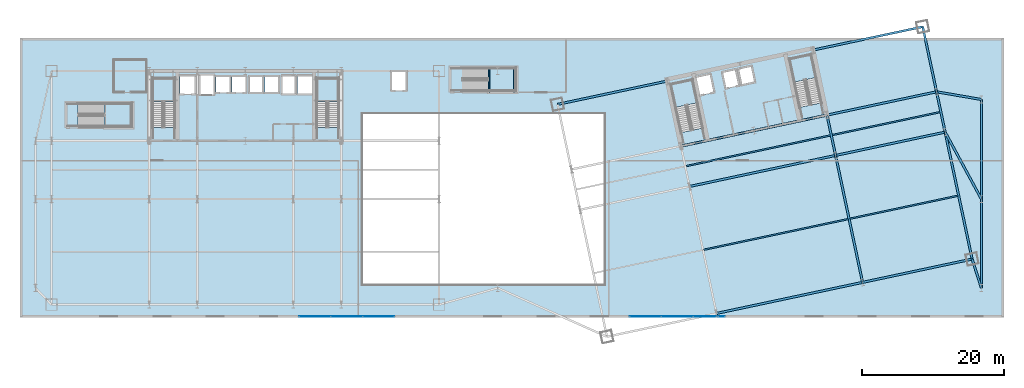
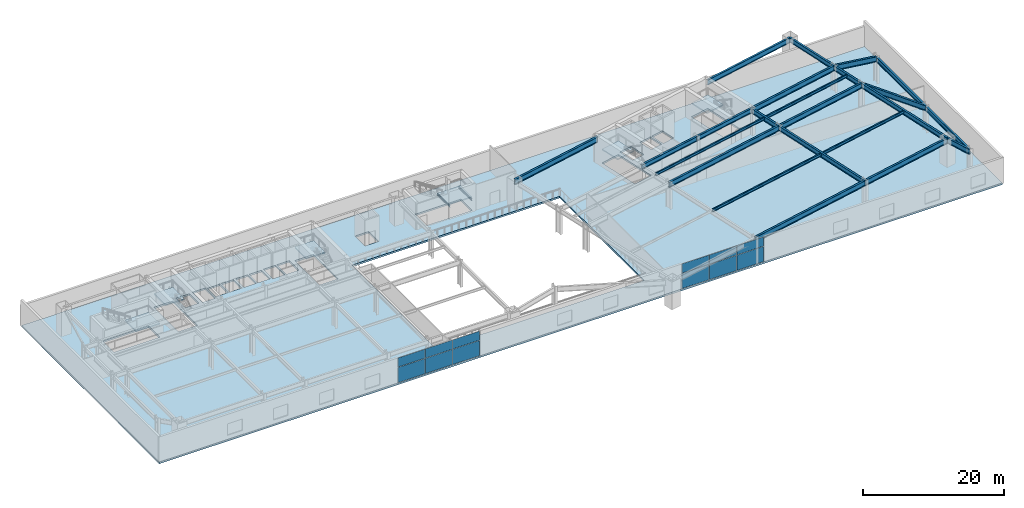
# One storey, part 11 of 25: 25 beams, 12 plates, 7 slabs, 8 elements without a shape of their own.
"""IFC4 building model written with IfcOpenShell, lengths in metres."""

from ifc_helpers import new_model, si_unit, direction, frame, origin, origin_2d, place, context, subcontext, project, spatial, polyline, rectangle, i_section, outline, extrude, material, layer, layer_set, material_profile, profile_set, type_object, element, aggregate, save


model = new_model("IFC4")

# Units and contexts
model_context = context("Model", 3, precision=1e-05, world=origin(), true_north=direction((0.0, 1.0)))
body_context = subcontext(model_context, "Body", "Model", "MODEL_VIEW")
ifc_project = project(units=[si_unit("LENGTHUNIT", "METRE"), si_unit("AREAUNIT", "SQUARE_METRE"), si_unit("VOLUMEUNIT", "CUBIC_METRE"), si_unit("PLANEANGLEUNIT", "RADIAN"), si_unit("MASSUNIT", "GRAM", prefix="KILO")], contexts=[model_context])

# Site, building, storey
site_placement = place(None, origin())
site = spatial("IfcSite", under=ifc_project, at=site_placement, CompositionType="ELEMENT")
building_placement = place(site_placement, origin())
building = spatial("IfcBuilding", under=site, at=building_placement, Name="Haevon Station Towers", CompositionType="ELEMENT")
storey_placement = place(building_placement, frame((0.0, 0.0, 6.0)))
storey = spatial("IfcBuildingStorey", under=building, at=storey_placement, Name="L01", CompositionType="ELEMENT", Elevation=6.0)

# Beams
ifc_material_1 = material(Name="Steel S355", Category="steel")
ifc_material_profile_1 = material_profile(ifc_material_1, i_section(OverallWidth=0.199951171875, OverallDepth=0.449951171875, WebThickness=0.009033203125, FlangeThickness=0.013916015625, at=origin_2d()), Name="H-450x200x9x14")
ifc_profile_set_1 = profile_set([ifc_material_profile_1], Name="Steel S355")
beam_type_1 = type_object("IfcBeamType", Name="BM-J450", PredefinedType="JOIST", material=ifc_profile_set_1)
beam_1_placement = place(storey_placement, frame((101.963134765625, 22.866455078125, 4.27490234375), z_axis=(0.97814804034, 0.207909622623, 0.0), x_axis=(-0.207909622623, 0.97814804034, 0.0)))
element("IfcBeam", 1, at=beam_1_placement, inside=storey, type_object=beam_type_1, Name="BM-T2J-L01-01-02", PredefinedType="JOIST", context=body_context, shape_type="SweptSolid", body=[
    extrude(i_section(OverallWidth=0.199951171875, OverallDepth=0.449951171875, WebThickness=0.009033203125, FlangeThickness=0.013916015625, at=origin_2d()), origin(), (0.0, 0.0, 1.0), 20.77978515625),
])
beam_2_placement = place(storey_placement, frame((122.504150390625, 27.232666015625, 4.27490234375), z_axis=(0.978149141128, 0.207904443699, 0.0), x_axis=(-0.207904443699, 0.978149141128, 0.0)))
element("IfcBeam", 2, at=beam_2_placement, inside=storey, type_object=beam_type_1, Name="BM-T2J-L01-01-03", PredefinedType="JOIST", context=body_context, shape_type="SweptSolid", body=[
    extrude(i_section(OverallWidth=0.199951171875, OverallDepth=0.449951171875, WebThickness=0.009033203125, FlangeThickness=0.013916015625, at=origin_2d()), origin(), (0.0, 0.0, 1.0), 15.530029296875),
])
beam_3_placement = place(storey_placement, frame((99.462890625, 34.628662109375, 4.27490234375), z_axis=(0.978148548197, 0.207907233306, 0.0), x_axis=(-0.207907233306, 0.978148548197, 0.0)))
element("IfcBeam", 3, at=beam_3_placement, inside=storey, type_object=beam_type_1, Name="BM-T2J-L01-02-02", PredefinedType="JOIST", context=body_context, shape_type="SweptSolid", body=[
    extrude(i_section(OverallWidth=0.199951171875, OverallDepth=0.449951171875, WebThickness=0.009033203125, FlangeThickness=0.013916015625, at=origin_2d()), origin(), (0.0, 0.0, 1.0), 20.780029296875),
])
beam_4_placement = place(storey_placement, frame((120.00390625, 38.994873046875, 4.27490234375), z_axis=(0.978149141128, 0.207904443699, 0.0), x_axis=(-0.207904443699, 0.978149141128, 0.0)))
element("IfcBeam", 4, at=beam_4_placement, inside=storey, type_object=beam_type_1, Name="BM-T2J-L01-02-03", PredefinedType="JOIST", context=body_context, shape_type="SweptSolid", body=[
    extrude(i_section(OverallWidth=0.199951171875, OverallDepth=0.449951171875, WebThickness=0.009033203125, FlangeThickness=0.013916015625, at=origin_2d()), origin(), (0.0, 0.0, 1.0), 15.530029296875),
])
ifc_material_profile_2 = material_profile(ifc_material_1, i_section(OverallWidth=0.14990234375, OverallDepth=0.300048828125, WebThickness=0.006591796875, FlangeThickness=0.009033203125, at=origin_2d()), Name="H-300x150x6.5x9")
ifc_profile_set_2 = profile_set([ifc_material_profile_2], Name="Steel S355")
beam_type_2 = type_object("IfcBeamType", Name="BM-LIN300", PredefinedType="LINTEL", material=ifc_profile_set_2)
for number, where, z_axis, x_axis, name in (
    (5, (71.81396484375, 45.0, 2.050048828125), (0.0, 1.0, 0.0), (-1.0, 0.0, 0.0), "BM-ST6L-L01-1-W"),
    (6, (75.320068359375, 45.0, 2.050048828125), (0.0, 1.0, 0.0), (-1.0, 0.0, 0.0), "BM-ST6L-L01-1-E"),
):
    element("IfcBeam", number, at=place(storey_placement, frame(where, z_axis=z_axis, x_axis=x_axis)), inside=storey, type_object=beam_type_2, Name=name, PredefinedType="LINTEL", context=body_context, shape_type="SweptSolid", body=[
        extrude(i_section(OverallWidth=0.14990234375, OverallDepth=0.300048828125, WebThickness=0.006591796875, FlangeThickness=0.009033203125, at=origin_2d()), origin(), (0.0, 0.0, 1.0), 3.60009765625),
    ])
ifc_material_profile_3 = material_profile(ifc_material_1, i_section(OverallWidth=0.300048828125, OverallDepth=0.800048828125, WebThickness=0.013916015625, FlangeThickness=0.02587890625, at=origin_2d()), Name="H-800x300x14x26")
ifc_profile_set_3 = profile_set([ifc_material_profile_3], Name="Steel S355")
beam_type_3 = type_object("IfcBeamType", Name="BM-PG800", PredefinedType="BEAM", material=ifc_profile_set_3)
for number, where, z_axis, x_axis, name in (
    (7, (98.75244140625, 37.4423828125, 4.10009765625), (0.978146794194, 0.207915485254, 0.0), (-0.207915485254, 0.978146794194, 0.0), "BM-T2U-L01-03-02"),
    (8, (109.02294921875, 39.62548828125, 4.10009765625), (0.978146794194, 0.207915485254, 0.0), (-0.207915485254, 0.978146794194, 0.0), "BM-T2U-L01-03-03"),
):
    element("IfcBeam", number, at=place(storey_placement, frame(where, z_axis=z_axis, x_axis=x_axis)), inside=storey, type_object=beam_type_3, Name=name, PredefinedType="BEAM", context=body_context, shape_type="SweptSolid", body=[
        extrude(i_section(OverallWidth=0.300048828125, OverallDepth=0.800048828125, WebThickness=0.013916015625, FlangeThickness=0.02587890625, at=origin_2d()), origin(), (0.0, 0.0, 1.0), 10.5),
    ])
beam_5_placement = place(storey_placement, frame((124.293701171875, 18.2841796875, 4.10009765625), z_axis=(-0.207915393978, 0.978146813595, 0.0), x_axis=(-0.978146813595, -0.207915393978, 0.0)))
element("IfcBeam", 9, at=beam_5_placement, inside=storey, type_object=beam_type_3, Name="BM-T2V-L01-04-01", PredefinedType="BEAM", context=body_context, shape_type="SweptSolid", body=[
    extrude(i_section(OverallWidth=0.300048828125, OverallDepth=0.800048828125, WebThickness=0.013916015625, FlangeThickness=0.02587890625, at=origin_2d()), origin(), (0.0, 0.0, 1.0), 18.25),
])
beam_6_placement = place(storey_placement, frame((120.499267578125, 36.13525390625, 4.10009765625), z_axis=(-0.207896009217, 0.97815093383, 0.0), x_axis=(-0.97815093383, -0.207896009217, 0.0)))
element("IfcBeam", 10, at=beam_6_placement, inside=storey, type_object=beam_type_3, Name="BM-T2V-L01-04-02", PredefinedType="BEAM", context=body_context, shape_type="SweptSolid", body=[
    extrude(i_section(OverallWidth=0.300048828125, OverallDepth=0.800048828125, WebThickness=0.013916015625, FlangeThickness=0.02587890625, at=origin_2d()), origin(), (0.0, 0.0, 1.0), 5.800048828125),
])
beam_7_placement = place(storey_placement, frame((139.699462890625, 21.558837890625, 4.10009765625), z_axis=(-0.207902594577, 0.978149534155, 0.0), x_axis=(-0.978149534155, -0.207902594577, 0.0)))
element("IfcBeam", 11, at=beam_7_placement, inside=storey, type_object=beam_type_3, Name="BM-T2V-L01-05-01", PredefinedType="BEAM", context=body_context, shape_type="SweptSolid", body=[
    extrude(i_section(OverallWidth=0.300048828125, OverallDepth=0.800048828125, WebThickness=0.013916015625, FlangeThickness=0.02587890625, at=origin_2d()), origin(), (0.0, 0.0, 1.0), 18.249755859375),
])
beam_8_placement = place(storey_placement, frame((135.9052734375, 39.409912109375, 4.10009765625), z_axis=(-0.207936282142, 0.978142373363, 0.0), x_axis=(-0.978142373363, -0.207936282142, 0.0)))
element("IfcBeam", 12, at=beam_8_placement, inside=storey, type_object=beam_type_3, Name="BM-T2V-L01-05-02", PredefinedType="BEAM", context=body_context, shape_type="SweptSolid", body=[
    extrude(i_section(OverallWidth=0.300048828125, OverallDepth=0.800048828125, WebThickness=0.013916015625, FlangeThickness=0.02587890625, at=origin_2d()), origin(), (0.0, 0.0, 1.0), 5.800048828125),
])
beam_9_placement = place(storey_placement, frame((134.69921875, 45.083251953125, 4.10009765625), z_axis=(-0.207902477038, 0.978149559138, 0.0), x_axis=(-0.978149559138, -0.207902477038, 0.0)))
element("IfcBeam", 13, at=beam_9_placement, inside=storey, type_object=beam_type_3, Name="BM-T2V-L01-05-03", PredefinedType="BEAM", context=body_context, shape_type="SweptSolid", body=[
    extrude(i_section(OverallWidth=0.300048828125, OverallDepth=0.800048828125, WebThickness=0.013916015625, FlangeThickness=0.02587890625, at=origin_2d()), origin(), (0.0, 0.0, 1.0), 9.349853515625),
])
beam_10_placement = place(storey_placement, frame((141.0, 17.5, 4.10009765625), z_axis=(0.0, 1.0, 0.0), x_axis=(-1.0, 0.0, 0.0)))
element("IfcBeam", 14, at=beam_10_placement, inside=storey, type_object=beam_type_3, Name="BM-PODNS-L01-E1", PredefinedType="BEAM", context=body_context, shape_type="SweptSolid", body=[
    extrude(i_section(OverallWidth=0.300048828125, OverallDepth=0.800048828125, WebThickness=0.013916015625, FlangeThickness=0.02587890625, at=origin_2d()), origin(), (0.0, 0.0, 1.0), 12.5),
])
beam_11_placement = place(storey_placement, frame((141.0, 30.0, 4.10009765625), z_axis=(0.0, 1.0, 0.0), x_axis=(-1.0, 0.0, 0.0)))
element("IfcBeam", 15, at=beam_11_placement, inside=storey, type_object=beam_type_3, Name="BM-PODNS-L01-E2", PredefinedType="BEAM", context=body_context, shape_type="SweptSolid", body=[
    extrude(i_section(OverallWidth=0.300048828125, OverallDepth=0.800048828125, WebThickness=0.013916015625, FlangeThickness=0.02587890625, at=origin_2d()), origin(), (0.0, 0.0, 1.0), 14.0),
])
ifc_material_profile_4 = material_profile(ifc_material_1, i_section(OverallWidth=0.300048828125, OverallDepth=0.89990234375, WebThickness=0.01611328125, FlangeThickness=0.028076171875, at=origin_2d()), Name="H-900x300x16x28")
ifc_profile_set_4 = profile_set([ifc_material_profile_4], Name="Steel S355")
beam_type_4 = type_object("IfcBeamType", Name="BM-PG900", PredefinedType="BEAM", material=ifc_profile_set_4)
beam_12_placement = place(storey_placement, frame((103.752685546875, 13.91796875, 4.050048828125), z_axis=(0.978146794194, 0.207915485254, 0.0), x_axis=(-0.207915485254, 0.978146794194, 0.0)))
element("IfcBeam", 16, at=beam_12_placement, inside=storey, type_object=beam_type_4, Name="BM-T2U-L01-01-02", PredefinedType="BEAM", context=body_context, shape_type="SweptSolid", body=[
    extrude(i_section(OverallWidth=0.300048828125, OverallDepth=0.89990234375, WebThickness=0.01611328125, FlangeThickness=0.028076171875, at=origin_2d()), origin(), (0.0, 0.0, 1.0), 21.0),
])
beam_13_placement = place(storey_placement, frame((124.293701171875, 18.2841796875, 4.050048828125), z_axis=(0.978146794194, 0.207915485254, 0.0), x_axis=(-0.207915485254, 0.978146794194, 0.0)))
element("IfcBeam", 17, at=beam_13_placement, inside=storey, type_object=beam_type_4, Name="BM-T2U-L01-01-04", PredefinedType="BEAM", context=body_context, shape_type="SweptSolid", body=[
    extrude(i_section(OverallWidth=0.300048828125, OverallDepth=0.89990234375, WebThickness=0.01611328125, FlangeThickness=0.028076171875, at=origin_2d()), origin(), (0.0, 0.0, 1.0), 15.75),
])
beam_14_placement = place(storey_placement, frame((99.958251953125, 31.76904296875, 4.050048828125), z_axis=(0.978146794194, 0.207915485254, 0.0), x_axis=(-0.207915485254, 0.978146794194, 0.0)))
element("IfcBeam", 18, at=beam_14_placement, inside=storey, type_object=beam_type_4, Name="BM-T2U-L01-02-02", PredefinedType="BEAM", context=body_context, shape_type="SweptSolid", body=[
    extrude(i_section(OverallWidth=0.300048828125, OverallDepth=0.89990234375, WebThickness=0.01611328125, FlangeThickness=0.028076171875, at=origin_2d()), origin(), (0.0, 0.0, 1.0), 21.0),
])
beam_15_placement = place(storey_placement, frame((120.499267578125, 36.13525390625, 4.050048828125), z_axis=(0.978147464271, 0.207912332825, 0.0), x_axis=(-0.207912332825, 0.978147464271, 0.0)))
element("IfcBeam", 19, at=beam_15_placement, inside=storey, type_object=beam_type_4, Name="BM-T2U-L01-02-04", PredefinedType="BEAM", context=body_context, shape_type="SweptSolid", body=[
    extrude(i_section(OverallWidth=0.300048828125, OverallDepth=0.89990234375, WebThickness=0.01611328125, FlangeThickness=0.028076171875, at=origin_2d()), origin(), (0.0, 0.0, 1.0), 15.750244140625),
])
for number, where, z_axis, x_axis, name in (
    (20, (119.29345703125, 41.80859375, 4.050048828125), (0.978146794194, 0.207915485254, 0.0), (-0.207915485254, 0.978146794194, 0.0), "BM-T2U-L01-03-04"),
    (21, (81.402587890625, 43.3134765625, 4.050048828125), (0.978146794194, 0.207915485254, 0.0), (-0.207915485254, 0.978146794194, 0.0), "BM-T2U-L01-04-01"),
):
    element("IfcBeam", number, at=place(storey_placement, frame(where, z_axis=z_axis, x_axis=x_axis)), inside=storey, type_object=beam_type_4, Name=name, PredefinedType="BEAM", context=body_context, shape_type="SweptSolid", body=[
        extrude(i_section(OverallWidth=0.300048828125, OverallDepth=0.89990234375, WebThickness=0.01611328125, FlangeThickness=0.028076171875, at=origin_2d()), origin(), (0.0, 0.0, 1.0), 15.75),
    ])
beam_16_placement = place(storey_placement, frame((117.349365234375, 50.954345703125, 4.050048828125), z_axis=(0.978150616551, 0.207897502008, 0.0), x_axis=(-0.207897502008, 0.978150616551, 0.0)))
element("IfcBeam", 22, at=beam_16_placement, inside=storey, type_object=beam_type_4, Name="BM-T2U-L01-04-04", PredefinedType="BEAM", context=body_context, shape_type="SweptSolid", body=[
    extrude(i_section(OverallWidth=0.300048828125, OverallDepth=0.89990234375, WebThickness=0.01611328125, FlangeThickness=0.028076171875, at=origin_2d()), origin(), (0.0, 0.0, 1.0), 15.750244140625),
])
beam_17_placement = place(storey_placement, frame((139.699462890625, 21.558837890625, 4.050048828125), z_axis=(0.305139430983, -0.952307685393, 0.0), x_axis=(0.952307685393, 0.305139430983, 0.0)))
element("IfcBeam", 23, at=beam_17_placement, inside=storey, type_object=beam_type_4, Name="BM-PODE-L01-1", PredefinedType="BEAM", context=body_context, shape_type="SweptSolid", body=[
    extrude(i_section(OverallWidth=0.300048828125, OverallDepth=0.89990234375, WebThickness=0.01611328125, FlangeThickness=0.028076171875, at=origin_2d()), origin(), (0.0, 0.0, 1.0), 4.26220703125),
])
beam_18_placement = place(storey_placement, frame((135.9052734375, 39.409912109375, 4.050048828125), z_axis=(0.476116295025, -0.879382325051, 0.0), x_axis=(0.879382325051, 0.476116295025, 0.0)))
element("IfcBeam", 24, at=beam_18_placement, inside=storey, type_object=beam_type_4, Name="BM-PODE-L01-2", PredefinedType="BEAM", context=body_context, shape_type="SweptSolid", body=[
    extrude(i_section(OverallWidth=0.300048828125, OverallDepth=0.89990234375, WebThickness=0.01611328125, FlangeThickness=0.028076171875, at=origin_2d()), origin(), (0.0, 0.0, 1.0), 10.70068359375),
])
beam_19_placement = place(storey_placement, frame((134.69921875, 45.083251953125, 4.050048828125), z_axis=(0.985540920751, -0.169437580028, 0.0), x_axis=(0.169437580028, 0.985540920751, 0.0)))
element("IfcBeam", 25, at=beam_19_placement, inside=storey, type_object=beam_type_4, Name="BM-PODE-L01-3", PredefinedType="BEAM", context=body_context, shape_type="SweptSolid", body=[
    extrude(i_section(OverallWidth=0.300048828125, OverallDepth=0.89990234375, WebThickness=0.01611328125, FlangeThickness=0.028076171875, at=origin_2d()), origin(), (0.0, 0.0, 1.0), 6.393310546875),
])

# Curtain wall, plates
ifc_material_2 = material(Name="Anodised aluminium and Low-E double glazing", Category="aluminium")
ifc_layer_1 = layer(ifc_material_2, 0.179931640625)
ifc_layer_set_1 = layer_set([ifc_layer_1], Name="Anodised aluminium and Low-E double glazing")
curtain_wall_type = type_object("IfcCurtainWallType", Name="CW-SYS1", PredefinedType="NOTDEFINED", material=ifc_layer_set_1)
curtain_wall_1_placement = place(storey_placement, origin())
curtain_wall_1 = element("IfcCurtainWall", 26, at=curtain_wall_1_placement, inside=storey, type_object=curtain_wall_type, Name="L01 Curtain Wall CW-POD-L01-S1", PredefinedType="NOTDEFINED")
ifc_material_3 = material(Name="Low-E double glazing", Category="glass")
ifc_layer_2 = layer(ifc_material_3, 0.028076171875)
ifc_layer_set_2 = layer_set([ifc_layer_2], Name="Low-E double glazing")
plate_type = type_object("IfcPlateType", Name="CWP-GLZ28", PredefinedType="CURTAIN_PANEL", material=ifc_layer_set_2)
plate_1_placement = place(storey_placement, frame((102.733642578125, 13.5, 0.06494140625), z_axis=(0.0, 0.0, 1.0), x_axis=(-1.0, 0.0, 0.0)))
plate_1 = element("IfcPlate", 27, at=plate_1_placement, type_object=plate_type, Name="CW-SYS1 panel 1.1", PredefinedType="CURTAIN_PANEL", context=body_context, shape_type="SweptSolid", body=[
    extrude(rectangle(XDim=4.402587890625, YDim=0.028076171875, at=origin_2d()), origin(), (0.0, 0.0, 1.0), 2.630615234375),
])
plate_2_placement = place(storey_placement, frame((102.733642578125, 13.5, 2.7607421875), z_axis=(0.0, 0.0, 1.0), x_axis=(-1.0, 0.0, 0.0)))
plate_2 = element("IfcPlate", 28, at=plate_2_placement, type_object=plate_type, Name="CW-SYS1 panel 1.2", PredefinedType="CURTAIN_PANEL", context=body_context, shape_type="SweptSolid", body=[
    extrude(rectangle(XDim=4.402587890625, YDim=0.028076171875, at=origin_2d()), origin(), (0.0, 0.0, 1.0), 1.574462890625),
])
plate_3_placement = place(storey_placement, frame((98.25, 13.5, 0.06494140625), z_axis=(0.0, 0.0, 1.0), x_axis=(-1.0, 0.0, 0.0)))
plate_3 = element("IfcPlate", 29, at=plate_3_placement, type_object=plate_type, Name="CW-SYS1 panel 2.1", PredefinedType="CURTAIN_PANEL", context=body_context, shape_type="SweptSolid", body=[
    extrude(rectangle(XDim=4.43505859375, YDim=0.028076171875, at=origin_2d()), origin(), (0.0, 0.0, 1.0), 2.630615234375),
])
plate_4_placement = place(storey_placement, frame((98.25, 13.5, 2.7607421875), z_axis=(0.0, 0.0, 1.0), x_axis=(-1.0, 0.0, 0.0)))
plate_4 = element("IfcPlate", 30, at=plate_4_placement, type_object=plate_type, Name="CW-SYS1 panel 2.2", PredefinedType="CURTAIN_PANEL", context=body_context, shape_type="SweptSolid", body=[
    extrude(rectangle(XDim=4.43505859375, YDim=0.028076171875, at=origin_2d()), origin(), (0.0, 0.0, 1.0), 1.574462890625),
])
plate_5_placement = place(storey_placement, frame((93.766357421875, 13.5, 0.06494140625), z_axis=(0.0, 0.0, 1.0), x_axis=(-1.0, 0.0, 0.0)))
plate_5 = element("IfcPlate", 31, at=plate_5_placement, type_object=plate_type, Name="CW-SYS1 panel 3.1", PredefinedType="CURTAIN_PANEL", context=body_context, shape_type="SweptSolid", body=[
    extrude(rectangle(XDim=4.402587890625, YDim=0.028076171875, at=origin_2d()), origin(), (0.0, 0.0, 1.0), 2.630615234375),
])
plate_6_placement = place(storey_placement, frame((93.766357421875, 13.5, 2.7607421875), z_axis=(0.0, 0.0, 1.0), x_axis=(-1.0, 0.0, 0.0)))
plate_6 = element("IfcPlate", 32, at=plate_6_placement, type_object=plate_type, Name="CW-SYS1 panel 3.2", PredefinedType="CURTAIN_PANEL", context=body_context, shape_type="SweptSolid", body=[
    extrude(rectangle(XDim=4.402587890625, YDim=0.028076171875, at=origin_2d()), origin(), (0.0, 0.0, 1.0), 1.574462890625),
])
aggregate(curtain_wall_1, [plate_1, plate_2, plate_3, plate_4, plate_5, plate_6])

curtain_wall_2_placement = place(storey_placement, origin())
curtain_wall_2 = element("IfcCurtainWall", 33, at=curtain_wall_2_placement, inside=storey, type_object=curtain_wall_type, Name="L01 Curtain Wall CW-POD-L01-S2", PredefinedType="NOTDEFINED")
plate_7_placement = place(storey_placement, frame((56.233642578125, 13.5, 0.06494140625), z_axis=(0.0, 0.0, 1.0), x_axis=(-1.0, 0.0, 0.0)))
plate_7 = element("IfcPlate", 34, at=plate_7_placement, type_object=plate_type, Name="CW-SYS1 panel 1.1", PredefinedType="CURTAIN_PANEL", context=body_context, shape_type="SweptSolid", body=[
    extrude(rectangle(XDim=4.402587890625, YDim=0.028076171875, at=origin_2d()), origin(), (0.0, 0.0, 1.0), 2.630615234375),
])
plate_8_placement = place(storey_placement, frame((56.233642578125, 13.5, 2.7607421875), z_axis=(0.0, 0.0, 1.0), x_axis=(-1.0, 0.0, 0.0)))
plate_8 = element("IfcPlate", 35, at=plate_8_placement, type_object=plate_type, Name="CW-SYS1 panel 1.2", PredefinedType="CURTAIN_PANEL", context=body_context, shape_type="SweptSolid", body=[
    extrude(rectangle(XDim=4.402587890625, YDim=0.028076171875, at=origin_2d()), origin(), (0.0, 0.0, 1.0), 1.574462890625),
])
plate_9_placement = place(storey_placement, frame((51.75, 13.5, 0.06494140625), z_axis=(0.0, 0.0, 1.0), x_axis=(-1.0, 0.0, 0.0)))
plate_9 = element("IfcPlate", 36, at=plate_9_placement, type_object=plate_type, Name="CW-SYS1 panel 2.1", PredefinedType="CURTAIN_PANEL", context=body_context, shape_type="SweptSolid", body=[
    extrude(rectangle(XDim=4.43505859375, YDim=0.028076171875, at=origin_2d()), origin(), (0.0, 0.0, 1.0), 2.630615234375),
])
plate_10_placement = place(storey_placement, frame((51.75, 13.5, 2.7607421875), z_axis=(0.0, 0.0, 1.0), x_axis=(-1.0, 0.0, 0.0)))
plate_10 = element("IfcPlate", 37, at=plate_10_placement, type_object=plate_type, Name="CW-SYS1 panel 2.2", PredefinedType="CURTAIN_PANEL", context=body_context, shape_type="SweptSolid", body=[
    extrude(rectangle(XDim=4.43505859375, YDim=0.028076171875, at=origin_2d()), origin(), (0.0, 0.0, 1.0), 1.574462890625),
])
plate_11_placement = place(storey_placement, frame((47.266357421875, 13.5, 0.06494140625), z_axis=(0.0, 0.0, 1.0), x_axis=(-1.0, 0.0, 0.0)))
plate_11 = element("IfcPlate", 38, at=plate_11_placement, type_object=plate_type, Name="CW-SYS1 panel 3.1", PredefinedType="CURTAIN_PANEL", context=body_context, shape_type="SweptSolid", body=[
    extrude(rectangle(XDim=4.402587890625, YDim=0.028076171875, at=origin_2d()), origin(), (0.0, 0.0, 1.0), 2.630615234375),
])
plate_12_placement = place(storey_placement, frame((47.266357421875, 13.5, 2.7607421875), z_axis=(0.0, 0.0, 1.0), x_axis=(-1.0, 0.0, 0.0)))
plate_12 = element("IfcPlate", 39, at=plate_12_placement, type_object=plate_type, Name="CW-SYS1 panel 3.2", PredefinedType="CURTAIN_PANEL", context=body_context, shape_type="SweptSolid", body=[
    extrude(rectangle(XDim=4.402587890625, YDim=0.028076171875, at=origin_2d()), origin(), (0.0, 0.0, 1.0), 1.574462890625),
])
aggregate(curtain_wall_2, [plate_7, plate_8, plate_9, plate_10, plate_11, plate_12])

# Stair, slab
ifc_material_4 = material(Name="Concrete C40/50", Category="concrete")
stair_type_1 = type_object("IfcStairType", Name="STR-DL1450", PredefinedType="USERDEFINED", material=ifc_material_4)
stair_1_placement = place(storey_placement, origin())
stair_1 = element("IfcStair", 40, at=stair_1_placement, inside=storey, type_object=stair_type_1, Name="L01 Escape Stair ST1", ObjectType="TWO_RETURN_STAIR", PredefinedType="USERDEFINED")
ifc_layer_3 = layer(ifc_material_4, 0.199951171875)
ifc_layer_set_3 = layer_set([ifc_layer_3], Name="Concrete C40/50")
slab_type_1 = type_object("IfcSlabType", Name="SL-LND200", PredefinedType="LANDING", material=ifc_layer_set_3)
slab_1_placement = place(storey_placement, frame((0.0, 0.0, 2.199951171875)))
slab_1 = element("IfcSlab", 41, at=slab_1_placement, type_object=slab_type_1, Name="L01 ST1 Half Landing 1", PredefinedType="LANDING", context=body_context, shape_type="SweptSolid", body=[
    extrude(outline(polyline([(27.580078125, 43.68408203125), (27.580078125, 47.0), (24.47998046875, 47.0), (24.47998046875, 43.68408203125), (27.580078125, 43.68408203125)])), origin(), (0.0, 0.0, 1.0), 0.199951171875),
])
aggregate(stair_1, [slab_1])

stair_2_placement = place(storey_placement, origin())
stair_2 = element("IfcStair", 42, at=stair_2_placement, inside=storey, type_object=stair_type_1, Name="L01 Escape Stair ST2", ObjectType="TWO_RETURN_STAIR", PredefinedType="USERDEFINED")
slab_2_placement = place(storey_placement, frame((0.0, 0.0, 2.199951171875)))
slab_2 = element("IfcSlab", 43, at=slab_2_placement, type_object=slab_type_1, Name="L01 ST2 Half Landing 1", PredefinedType="LANDING", context=body_context, shape_type="SweptSolid", body=[
    extrude(outline(polyline([(50.6201171875, 43.68408203125), (50.6201171875, 47.0), (47.52001953125, 47.0), (47.52001953125, 43.68408203125), (50.6201171875, 43.68408203125)])), origin(), (0.0, 0.0, 1.0), 0.199951171875),
])
aggregate(stair_2, [slab_2])

stair_3_placement = place(storey_placement, origin())
stair_3 = element("IfcStair", 44, at=stair_3_placement, inside=storey, type_object=stair_type_1, Name="L01 Escape Stair ST3", ObjectType="TWO_RETURN_STAIR", PredefinedType="USERDEFINED")
slab_3_placement = place(storey_placement, frame((0.0, 0.0, 2.199951171875)))
slab_3 = element("IfcSlab", 45, at=slab_3_placement, type_object=slab_type_1, Name="L01 ST3 Half Landing 1", PredefinedType="LANDING", context=body_context, shape_type="SweptSolid", body=[
    extrude(outline(polyline([(101.05517578125, 43.538330078125), (100.36572265625, 46.781982421875), (97.33349609375, 46.137451171875), (98.02294921875, 42.893798828125), (101.05517578125, 43.538330078125)])), origin(), (0.0, 0.0, 1.0), 0.199951171875),
])
aggregate(stair_3, [slab_3])

stair_4_placement = place(storey_placement, origin())
stair_4 = element("IfcStair", 46, at=stair_4_placement, inside=storey, type_object=stair_type_1, Name="L01 Escape Stair ST4", ObjectType="TWO_RETURN_STAIR", PredefinedType="USERDEFINED")
slab_4_placement = place(storey_placement, frame((0.0, 0.0, 2.199951171875)))
slab_4 = element("IfcSlab", 47, at=slab_4_placement, type_object=slab_type_1, Name="L01 ST4 Half Landing 1", PredefinedType="LANDING", context=body_context, shape_type="SweptSolid", body=[
    extrude(outline(polyline([(117.742431640625, 47.08544921875), (117.052978515625, 50.328857421875), (114.020751953125, 49.684326171875), (114.710205078125, 46.44091796875), (117.742431640625, 47.08544921875)])), origin(), (0.0, 0.0, 1.0), 0.199951171875),
])
aggregate(stair_4, [slab_4])

stair_type_2 = type_object("IfcStairType", Name="STR-DL1500", PredefinedType="USERDEFINED", material=ifc_material_4)
stair_5_placement = place(storey_placement, origin())
stair_5 = element("IfcStair", 48, at=stair_5_placement, inside=storey, type_object=stair_type_2, Name="L01 Escape Stair ST5", ObjectType="TWO_RETURN_STAIR", PredefinedType="USERDEFINED")
slab_5_placement = place(storey_placement, frame((0.0, 0.0, 2.199951171875)))
slab_5 = element("IfcSlab", 49, at=slab_5_placement, type_object=slab_type_1, Name="L01 ST5 Half Landing 1", PredefinedType="LANDING", context=body_context, shape_type="SweptSolid", body=[
    extrude(outline(polyline([(17.634033203125, 40.199951171875), (21.5, 40.199951171875), (21.5, 43.39990234375), (17.634033203125, 43.39990234375), (17.634033203125, 40.199951171875)])), origin(), (0.0, 0.0, 1.0), 0.199951171875),
])
aggregate(stair_5, [slab_5])

stair_6_placement = place(storey_placement, origin())
stair_6 = element("IfcStair", 50, at=stair_6_placement, inside=storey, type_object=stair_type_2, Name="L01 Escape Stair ST6", ObjectType="TWO_RETURN_STAIR", PredefinedType="USERDEFINED")
slab_6_placement = place(storey_placement, frame((0.0, 0.0, 2.199951171875)))
slab_6 = element("IfcSlab", 51, at=slab_6_placement, type_object=slab_type_1, Name="L01 ST6 Half Landing 1", PredefinedType="LANDING", context=body_context, shape_type="SweptSolid", body=[
    extrude(outline(polyline([(71.634033203125, 45.199951171875), (75.5, 45.199951171875), (75.5, 48.39990234375), (71.634033203125, 48.39990234375), (71.634033203125, 45.199951171875)])), origin(), (0.0, 0.0, 1.0), 0.199951171875),
])
aggregate(stair_6, [slab_6])

# Slab
ifc_layer_4 = layer(ifc_material_4, 0.300048828125)
ifc_layer_set_4 = layer_set([ifc_layer_4], Name="Concrete C40/50")
slab_type_2 = type_object("IfcSlabType", Name="SL-POD300", PredefinedType="FLOOR", material=ifc_layer_set_4)
slab_7_placement = place(storey_placement, frame((0.0, 0.0, -0.300048828125)))
element("IfcSlab", 52, at=slab_7_placement, inside=storey, type_object=slab_type_2, Name="SL-POD-L01", PredefinedType="FLOOR", context=body_context, shape_type="SweptSolid", body=[
    extrude(outline(polyline([(6.0, 13.5), (144.0, 13.5), (144.0, 52.5), (6.0, 52.5), (6.0, 13.5)]), holes=[polyline([(54.0, 18.0), (88.0, 18.0), (88.0, 42.0), (54.0, 42.0), (54.0, 18.0)]), polyline([(27.580078125, 40.055908203125), (27.580078125, 47.0), (24.47998046875, 47.0), (24.47998046875, 40.055908203125), (27.580078125, 40.055908203125)]), polyline([(50.6201171875, 40.055908203125), (50.6201171875, 47.0), (47.52001953125, 47.0), (47.52001953125, 40.055908203125), (50.6201171875, 40.055908203125)]), polyline([(101.8095703125, 39.98974609375), (100.36572265625, 46.781982421875), (97.33349609375, 46.137451171875), (98.77734375, 39.34521484375), (101.8095703125, 39.98974609375)]), polyline([(118.496826171875, 43.53662109375), (117.052978515625, 50.328857421875), (114.020751953125, 49.684326171875), (115.464599609375, 42.89208984375), (118.496826171875, 43.53662109375)]), polyline([(14.006103515625, 40.199951171875), (21.5, 40.199951171875), (21.5, 43.39990234375), (14.006103515625, 43.39990234375), (14.006103515625, 40.199951171875)]), polyline([(68.006103515625, 45.199951171875), (75.5, 45.199951171875), (75.5, 48.39990234375), (68.006103515625, 48.39990234375), (68.006103515625, 45.199951171875)]), polyline([(28.300048828125, 44.699951171875), (30.5, 44.699951171875), (30.5, 47.39990234375), (28.300048828125, 47.39990234375), (28.300048828125, 44.699951171875)]), polyline([(101.43212890625, 44.554931640625), (103.486328125, 44.99169921875), (102.9248046875, 47.632568359375), (100.870849609375, 47.196044921875), (101.43212890625, 44.554931640625)]), polyline([(31.050048828125, 44.60009765625), (33.14990234375, 44.60009765625), (33.14990234375, 47.5), (31.050048828125, 47.5), (31.050048828125, 44.60009765625)]), polyline([(33.39990234375, 44.89990234375), (35.39990234375, 44.89990234375), (35.39990234375, 47.300048828125), (33.39990234375, 47.300048828125), (33.39990234375, 44.89990234375)]), polyline([(35.64990234375, 44.89990234375), (37.64990234375, 44.89990234375), (37.64990234375, 47.300048828125), (35.64990234375, 47.300048828125), (35.64990234375, 44.89990234375)]), polyline([(38.0, 44.89990234375), (40.0, 44.89990234375), (40.0, 47.300048828125), (38.0, 47.300048828125), (38.0, 44.89990234375)]), polyline([(40.25, 44.89990234375), (42.25, 44.89990234375), (42.25, 47.300048828125), (40.25, 47.300048828125), (40.25, 44.89990234375)]), polyline([(42.60009765625, 44.699951171875), (44.60009765625, 44.699951171875), (44.60009765625, 47.39990234375), (42.60009765625, 47.39990234375), (42.60009765625, 44.699951171875)]), polyline([(44.85009765625, 44.699951171875), (46.85009765625, 44.699951171875), (46.85009765625, 47.39990234375), (44.85009765625, 47.39990234375), (44.85009765625, 44.699951171875)]), polyline([(105.009765625, 45.519775390625), (106.966064453125, 45.935791015625), (106.467041015625, 48.283203125), (104.5107421875, 47.867431640625), (105.009765625, 45.519775390625)]), polyline([(107.259521484375, 45.998046875), (109.2158203125, 46.413818359375), (108.716796875, 48.761474609375), (106.760498046875, 48.345703125), (107.259521484375, 45.998046875)]), polyline([(58.0, 45.199951171875), (60.199951171875, 45.199951171875), (60.199951171875, 48.0), (58.0, 48.0), (58.0, 45.199951171875)])]), origin(), (0.0, 0.0, 1.0), 0.300048828125),
])

save(model, "model.ifc")
